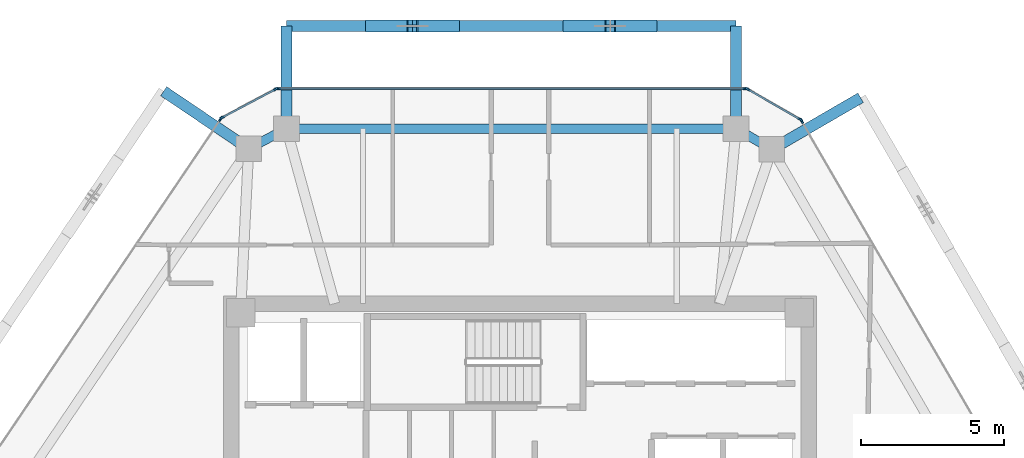
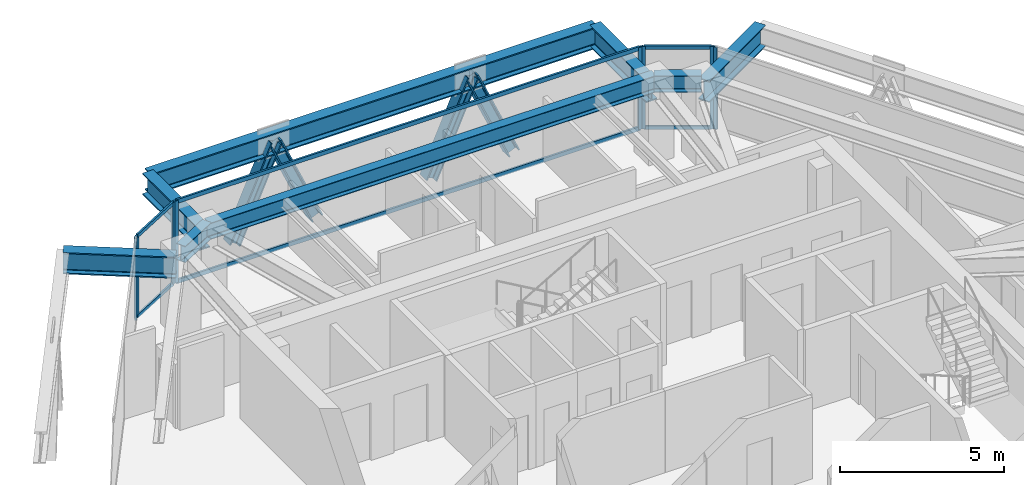
# One storey, part 6 of 13: 18 members, 8 beams, 5 elements without a shape of their own.
"""IFC4 building model written with IfcOpenShell, lengths in metres."""

from ifc_helpers import new_model, si_unit, direction, frame, origin, origin_2d, place, context, subcontext, project, spatial, rectangle, i_section, extrude, source, transform, mapped, material, layer, layer_set, material_profile, profile_set, type_object, type_shapes, element, aggregate, save


model = new_model("IFC4")

# Units and contexts
model_context = context("Model", 3, precision=1e-05, world=origin(), true_north=direction((0.0, 1.0)))
body_context = subcontext(model_context, "Body", "Model", "MODEL_VIEW")
ifc_project = project(units=[si_unit("LENGTHUNIT", "METRE"), si_unit("AREAUNIT", "SQUARE_METRE"), si_unit("VOLUMEUNIT", "CUBIC_METRE"), si_unit("PLANEANGLEUNIT", "RADIAN"), si_unit("MASSUNIT", "GRAM", prefix="KILO")], contexts=[model_context])

# Site, building, storey
site_placement = place(None, origin())
site = spatial("IfcSite", under=ifc_project, at=site_placement, CompositionType="ELEMENT")
building_placement = place(site_placement, origin())
building = spatial("IfcBuilding", under=site, at=building_placement, Name="Durnholm Broadcast Tower", CompositionType="ELEMENT")
storey_placement = place(building_placement, frame((0.0, 0.0, 234.800048828125)))
storey = spatial("IfcBuildingStorey", under=building, at=storey_placement, Name="L65", CompositionType="ELEMENT", Elevation=234.800048828125)

# Beams
ifc_material_1 = material(Name="Steel ASTM A992 Grade 50", Category="steel")
ifc_material_profile_1 = material_profile(ifc_material_1, i_section(OverallWidth=0.385009765625, OverallDepth=0.802978515625, WebThickness=0.023681640625, FlangeThickness=0.0419921875, FilletRadius=0.032958984375, at=origin_2d()), Name="W30X261")
ifc_profile_set_1 = profile_set([ifc_material_profile_1], Name="Steel ASTM A992 Grade 50")
beam_type_1 = type_object("IfcBeamType", Name="BM-EXO-TIE", PredefinedType="USERDEFINED", material=ifc_profile_set_1)
shared_shape_1 = source(origin(), body_context, "Body", "SweptSolid", [
    extrude(i_section(OverallWidth=0.385009765625, OverallDepth=0.802978515625, WebThickness=0.023681640625, FlangeThickness=0.0419921875, FilletRadius=0.032958984375, at=origin_2d()), origin(), (0.0, 0.0, 1.0), 3.4560546875),
])
for number, where, z_axis, x_axis, name in (
    (1, (7.57958984375, 14.406005859375, 2.30859375), (0.0, 1.0, 0.0), (-1.0, 0.0, 0.0), "L65 exoskeleton stand-off tie bracket F4.1"),
    (2, (-8.187744140625, 14.406005859375, 2.30859375), (0.0, 1.0, 0.0), (-1.0, 0.0, 0.0), "L65 exoskeleton stand-off tie bracket F4.2"),
):
    element("IfcBeam", number, at=place(storey_placement, frame(where, z_axis=z_axis, x_axis=x_axis)), inside=storey, type_object=beam_type_1, Name=name, ObjectType="GIRDER", PredefinedType="USERDEFINED", context=body_context, shape_type="MappedRepresentation", body=[
        mapped(shared_shape_1, transform((0.0, 0.0, 0.0), x_axis=(1.0, 0.0, 0.0), y_axis=(0.0, 1.0, 0.0), z_axis=(0.0, 0.0, 1.0), scale=1.0)),
    ])
shared_shape_2 = source(origin(), body_context, "Body", "SweptSolid", [
    extrude(i_section(OverallWidth=0.385009765625, OverallDepth=0.802978515625, WebThickness=0.023681640625, FlangeThickness=0.0419921875, FilletRadius=0.032958984375, at=origin_2d()), origin(), (0.0, 0.0, 1.0), 3.455810546875),
])
for number, where, z_axis, x_axis, name in (
    (3, (8.9619140625, 13.610107421875, 2.30859375), (0.864906682814, 0.501932694715, 0.0), (-0.501932694715, 0.864906682814, 0.0), "L65 exoskeleton stand-off tie bracket F3.2"),
    (4, (-9.63427734375, 13.637939453125, 2.30859375), (-0.828446342252, 0.560068440469, 0.0), (-0.560068440469, -0.828446342252, 0.0), "L65 exoskeleton stand-off tie bracket F5.1"),
):
    element("IfcBeam", number, at=place(storey_placement, frame(where, z_axis=z_axis, x_axis=x_axis)), inside=storey, type_object=beam_type_1, Name=name, ObjectType="GIRDER", PredefinedType="USERDEFINED", context=body_context, shape_type="MappedRepresentation", body=[
        mapped(shared_shape_2, transform((0.0, 0.0, 0.0), x_axis=(1.0, 0.0, 0.0), y_axis=(0.0, 1.0, 0.0), z_axis=(0.0, 0.0, 1.0), scale=1.0)),
    ])
ifc_material_profile_2 = material_profile(ifc_material_1, i_section(OverallWidth=0.3251953125, OverallDepth=0.6162109375, WebThickness=0.013916015625, FlangeThickness=0.021484375, FilletRadius=0.02783203125, at=origin_2d()), Name="W24X117")
ifc_profile_set_2 = profile_set([ifc_material_profile_2], Name="Steel ASTM A992 Grade 50")
beam_type_2 = type_object("IfcBeamType", Name="STL-SP-W24X117", PredefinedType="SPANDREL", material=ifc_profile_set_2)
shared_shape_3 = source(origin(), body_context, "Body", "SweptSolid", [
    extrude(i_section(OverallWidth=0.3251953125, OverallDepth=0.6162109375, WebThickness=0.013916015625, FlangeThickness=0.021484375, FilletRadius=0.02783203125, at=origin_2d()), origin(), (0.0, 0.0, 1.0), 1.502685546875),
])
beam_1_placement = place(storey_placement, frame((-9.514892578125, 13.557373046875, 2.73681640625), z_axis=(0.883241909673, 0.468917614296, 0.0), x_axis=(-0.468917614296, 0.883241909673, 0.0)))
element("IfcBeam", 5, at=beam_1_placement, inside=storey, type_object=beam_type_2, Name="L65 perimeter spandrel girder 04", PredefinedType="SPANDREL", context=body_context, shape_type="MappedRepresentation", body=[
    mapped(shared_shape_3, transform((0.0, 0.0, 0.0), x_axis=(1.0, 0.0, 0.0), y_axis=(0.0, 1.0, 0.0), z_axis=(0.0, 0.0, 1.0), scale=1.0)),
])
shared_shape_4 = source(origin(), body_context, "Body", "SweptSolid", [
    extrude(i_section(OverallWidth=0.3251953125, OverallDepth=0.6162109375, WebThickness=0.013916015625, FlangeThickness=0.021484375, FilletRadius=0.02783203125, at=origin_2d()), origin(), (0.0, 0.0, 1.0), 15.767333984375),
])
beam_2_placement = place(storey_placement, frame((-8.187744140625, 14.261962890625, 2.73681640625), z_axis=(1.0, 0.0, 0.0), x_axis=(0.0, 1.0, 0.0)))
element("IfcBeam", 6, at=beam_2_placement, inside=storey, type_object=beam_type_2, Name="L65 perimeter spandrel girder 05", PredefinedType="SPANDREL", context=body_context, shape_type="MappedRepresentation", body=[
    mapped(shared_shape_4, transform((0.0, 0.0, 0.0), x_axis=(1.0, 0.0, 0.0), y_axis=(0.0, 1.0, 0.0), z_axis=(0.0, 0.0, 1.0), scale=1.0)),
])
shared_shape_5 = source(origin(), body_context, "Body", "SweptSolid", [
    extrude(i_section(OverallWidth=0.3251953125, OverallDepth=0.6162109375, WebThickness=0.013916015625, FlangeThickness=0.021484375, FilletRadius=0.02783203125, at=origin_2d()), origin(), (0.0, 0.0, 1.0), 1.451416015625),
])
type_shapes(beam_type_2, [shared_shape_3, shared_shape_4, shared_shape_5])
beam_3_placement = place(storey_placement, frame((7.57958984375, 14.261962890625, 2.73681640625), z_axis=(0.866571760088, -0.499052486836, 0.0), x_axis=(0.499052486836, 0.866571760088, 0.0)))
element("IfcBeam", 7, at=beam_3_placement, inside=storey, type_object=beam_type_2, Name="L65 perimeter spandrel girder 06", PredefinedType="SPANDREL", context=body_context, shape_type="MappedRepresentation", body=[
    mapped(shared_shape_5, transform((0.0, 0.0, 0.0), x_axis=(1.0, 0.0, 0.0), y_axis=(0.0, 1.0, 0.0), z_axis=(0.0, 0.0, 1.0), scale=1.0)),
])
shared_shape_6 = source(origin(), body_context, "Body", "SweptSolid", [
    extrude(i_section(OverallWidth=0.385009765625, OverallDepth=0.802978515625, WebThickness=0.023681640625, FlangeThickness=0.0419921875, FilletRadius=0.032958984375, at=origin_2d()), origin(), (0.0, 0.0, 1.0), 15.767333984375),
])
type_shapes(beam_type_1, [shared_shape_1, shared_shape_2, shared_shape_6])
beam_4_placement = place(storey_placement, frame((7.57958984375, 17.862060546875, 2.30859375), z_axis=(-1.0, 0.0, 0.0), x_axis=(0.0, -1.0, 0.0)))
element("IfcBeam", 8, at=beam_4_placement, inside=storey, type_object=beam_type_1, Name="L65 exoskeleton collector spandrel F4", PredefinedType="SPANDREL", context=body_context, shape_type="MappedRepresentation", body=[
    mapped(shared_shape_6, transform((0.0, 0.0, 0.0), x_axis=(1.0, 0.0, 0.0), y_axis=(0.0, 1.0, 0.0), z_axis=(0.0, 0.0, 1.0), scale=1.0)),
])

# Members
ifc_material_2 = material(Name="Steel ASTM A913 Grade 65", Category="steel")
ifc_material_profile_3 = material_profile(ifc_material_2, i_section(OverallWidth=0.40625, OverallDepth=0.416015625, WebThickness=0.02978515625, FlangeThickness=0.048095703125, FilletRadius=0.030517578125, at=origin_2d()), Name="W14X257")
ifc_profile_set_3 = profile_set([ifc_material_profile_3], Name="Steel ASTM A913 Grade 65")
member_type_1 = type_object("IfcMemberType", Name="STL-DG-W14X257", PredefinedType="BRACE", material=ifc_profile_set_3)
shared_shape_7 = source(origin(), body_context, "Body", "SweptSolid", [
    extrude(i_section(OverallWidth=0.40625, OverallDepth=0.416015625, WebThickness=0.02978515625, FlangeThickness=0.048095703125, FilletRadius=0.030517578125, at=origin_2d()), origin(), (0.0, 0.0, 1.0), 3.60791015625),
])
for number, where, z_axis, x_axis, name in (
    (9, (4.623046875, 17.862060546875, -0.991455078125), (-0.404184914295, 0.0, 0.914677295584), (0.0, -1.0, 0.0), "L65 stand-off diagrid brace F4.D1.1"),
    (10, (1.70654296875, 17.862060546875, -0.991455078125), (0.404184914295, 0.0, 0.914677295584), (0.0, 1.0, 0.0), "L65 stand-off diagrid brace F4.D1.2"),
    (11, (-5.23095703125, 17.862060546875, -0.991455078125), (0.404184914295, 0.0, 0.914677295584), (0.0, 1.0, 0.0), "L65 stand-off diagrid brace F4.D2.2"),
):
    element("IfcMember", number, at=place(storey_placement, frame(where, z_axis=z_axis, x_axis=x_axis)), inside=storey, type_object=member_type_1, Name=name, PredefinedType="BRACE", context=body_context, shape_type="MappedRepresentation", body=[
        mapped(shared_shape_7, transform((0.0, 0.0, 0.0), x_axis=(1.0, 0.0, 0.0), y_axis=(0.0, 1.0, 0.0), z_axis=(0.0, 0.0, 1.0), scale=1.0)),
    ])
shared_shape_8 = source(origin(), body_context, "Body", "SweptSolid", [
    extrude(i_section(OverallWidth=0.40625, OverallDepth=0.416015625, WebThickness=0.02978515625, FlangeThickness=0.048095703125, FilletRadius=0.030517578125, at=origin_2d()), origin(), (0.0, 0.0, 1.0), 3.607666015625),
])
type_shapes(member_type_1, [shared_shape_7, shared_shape_8])
member_1_placement = place(storey_placement, frame((-2.314697265625, 17.862060546875, -0.991455078125), z_axis=(-0.404128298032, 0.0, 0.914702311536), x_axis=(0.0, -1.0, 0.0)))
element("IfcMember", 12, at=member_1_placement, inside=storey, type_object=member_type_1, Name="L65 stand-off diagrid brace F4.D2.1", PredefinedType="BRACE", context=body_context, shape_type="MappedRepresentation", body=[
    mapped(shared_shape_8, transform((0.0, 0.0, 0.0), x_axis=(1.0, 0.0, 0.0), y_axis=(0.0, 1.0, 0.0), z_axis=(0.0, 0.0, 1.0), scale=1.0)),
])

# Curtain wall, members
ifc_material_3 = material(Name="Aluminium and Solar Control IGU", Category="aluminium")
ifc_layer_1 = layer(ifc_material_3, 0.1650390625)
ifc_layer_set_1 = layer_set([ifc_layer_1], Name="Aluminium and Solar Control IGU")
curtain_wall_type_1 = type_object("IfcCurtainWallType", Name="CW-SYS-5", PredefinedType="NOTDEFINED", material=ifc_layer_set_1)
curtain_wall_1_placement = place(storey_placement, origin())
curtain_wall_1 = element("IfcCurtainWall", 13, at=curtain_wall_1_placement, inside=storey, type_object=curtain_wall_type_1, Name="L65 curtain wall CW-CORNER CW-L65-CRN-03", PredefinedType="NOTDEFINED")
ifc_material_4 = material(Name="Aluminium 6063-T6", Category="aluminium")
ifc_material_profile_4 = material_profile(ifc_material_4, rectangle(XDim=0.06494140625, YDim=0.1298828125, at=origin_2d()), Name="CWT65X130")
ifc_profile_set_4 = profile_set([ifc_material_profile_4], Name="Aluminium 6063-T6")
member_type_2 = type_object("IfcMemberType", Name="CW-SYS-5-TRN", PredefinedType="USERDEFINED", material=ifc_profile_set_4)
shared_shape_9 = source(origin(), body_context, "Body", "SweptSolid", [
    extrude(rectangle(XDim=0.06494140625, YDim=0.1298828125, at=origin_2d()), origin(), (0.0, 0.0, 1.0), 2.070068359375),
])
type_shapes(member_type_2, [shared_shape_9])
member_2_placement = place(storey_placement, frame((-10.421875, 14.66064453125, 0.032470703125), z_axis=(0.883164581026, 0.469063239682, 0.0), x_axis=(-0.469063239682, 0.883164581026, 0.0)))
member_2 = element("IfcMember", 14, at=member_2_placement, type_object=member_type_2, Name="CW-CORNER transom 1.1", ObjectType="TRANSOM", PredefinedType="USERDEFINED", context=body_context, shape_type="MappedRepresentation", body=[
    mapped(shared_shape_9, transform((0.0, 0.0, 0.0), x_axis=(1.0, 0.0, 0.0), y_axis=(0.0, 1.0, 0.0), z_axis=(0.0, 0.0, 1.0), scale=1.0)),
])
member_3_placement = place(storey_placement, frame((-10.421875, 14.66064453125, 3.02734375), z_axis=(0.883164581026, 0.469063239682, 0.0), x_axis=(-0.469063239682, 0.883164581026, 0.0)))
member_3 = element("IfcMember", 15, at=member_3_placement, type_object=member_type_2, Name="CW-CORNER transom 1.2", ObjectType="TRANSOM", PredefinedType="USERDEFINED", context=body_context, shape_type="MappedRepresentation", body=[
    mapped(shared_shape_9, transform((0.0, 0.0, 0.0), x_axis=(1.0, 0.0, 0.0), y_axis=(0.0, 1.0, 0.0), z_axis=(0.0, 0.0, 1.0), scale=1.0)),
])

curtain_wall_2_placement = place(storey_placement, origin())
curtain_wall_2 = element("IfcCurtainWall", 16, at=curtain_wall_2_placement, inside=storey, type_object=curtain_wall_type_1, Name="L65 curtain wall CW-CORNER CW-L65-CRN-05", PredefinedType="NOTDEFINED")
member_4_placement = place(storey_placement, frame((8.01025390625, 15.629638671875, 0.032470703125), z_axis=(0.866525076636, -0.499133540809, 0.0), x_axis=(0.499133540809, 0.866525076636, 0.0)))
member_4 = element("IfcMember", 17, at=member_4_placement, type_object=member_type_2, Name="CW-CORNER transom 1.1", ObjectType="TRANSOM", PredefinedType="USERDEFINED", context=body_context, shape_type="MappedRepresentation", body=[
    mapped(shared_shape_9, transform((0.0, 0.0, 0.0), x_axis=(1.0, 0.0, 0.0), y_axis=(0.0, 1.0, 0.0), z_axis=(0.0, 0.0, 1.0), scale=1.0)),
])
member_5_placement = place(storey_placement, frame((8.01025390625, 15.629638671875, 3.02734375), z_axis=(0.866525076636, -0.499133540809, 0.0), x_axis=(0.499133540809, 0.866525076636, 0.0)))
member_5 = element("IfcMember", 18, at=member_5_placement, type_object=member_type_2, Name="CW-CORNER transom 1.2", ObjectType="TRANSOM", PredefinedType="USERDEFINED", context=body_context, shape_type="MappedRepresentation", body=[
    mapped(shared_shape_9, transform((0.0, 0.0, 0.0), x_axis=(1.0, 0.0, 0.0), y_axis=(0.0, 1.0, 0.0), z_axis=(0.0, 0.0, 1.0), scale=1.0)),
])

# Member
ifc_material_profile_5 = material_profile(ifc_material_4, rectangle(XDim=0.06494140625, YDim=0.1650390625, at=origin_2d()), Name="CWM65X165")
ifc_profile_set_5 = profile_set([ifc_material_profile_5], Name="Aluminium 6063-T6")
member_type_3 = type_object("IfcMemberType", Name="CW-SYS-5-MUL", PredefinedType="MULLION", material=ifc_profile_set_5)
shared_shape_10 = source(origin(), body_context, "Body", "SweptSolid", [
    extrude(rectangle(XDim=0.06494140625, YDim=0.1650390625, at=origin_2d()), origin(), (0.0, 0.0, 1.0), 3.06005859375),
])
type_shapes(member_type_3, [shared_shape_10])
member_6_placement = place(storey_placement, frame((-10.45068359375, 14.6455078125, 0.0), z_axis=(0.0, 0.0, 1.0), x_axis=(-0.469006771575, 0.883194569853, 0.0)))
member_6 = element("IfcMember", 19, at=member_6_placement, type_object=member_type_3, Name="CW-CORNER mullion 1", PredefinedType="MULLION", context=body_context, shape_type="MappedRepresentation", body=[
    mapped(shared_shape_10, transform((0.0, 0.0, 0.0), x_axis=(1.0, 0.0, 0.0), y_axis=(0.0, 1.0, 0.0), z_axis=(0.0, 0.0, 1.0), scale=1.0)),
])

member_7_placement = place(storey_placement, frame((-8.565185546875, 15.646728515625, 0.0), z_axis=(0.0, 0.0, 1.0), x_axis=(-0.469006771575, 0.883194569853, 0.0)))
member_7 = element("IfcMember", 20, at=member_7_placement, type_object=member_type_3, Name="CW-CORNER mullion 2", PredefinedType="MULLION", context=body_context, shape_type="MappedRepresentation", body=[
    mapped(shared_shape_10, transform((0.0, 0.0, 0.0), x_axis=(1.0, 0.0, 0.0), y_axis=(0.0, 1.0, 0.0), z_axis=(0.0, 0.0, 1.0), scale=1.0)),
])

aggregate(curtain_wall_1, [member_6, member_7, member_2, member_3])

member_8_placement = place(storey_placement, frame((7.982177734375, 15.645751953125, 0.0), z_axis=(0.0, 0.0, 1.0), x_axis=(0.499058582333, 0.866568249707, 0.0)))
member_8 = element("IfcMember", 21, at=member_8_placement, type_object=member_type_3, Name="CW-CORNER mullion 1", PredefinedType="MULLION", context=body_context, shape_type="MappedRepresentation", body=[
    mapped(shared_shape_10, transform((0.0, 0.0, 0.0), x_axis=(1.0, 0.0, 0.0), y_axis=(0.0, 1.0, 0.0), z_axis=(0.0, 0.0, 1.0), scale=1.0)),
])

member_9_placement = place(storey_placement, frame((9.832275390625, 14.580322265625, 0.0), z_axis=(0.0, 0.0, 1.0), x_axis=(0.499058582333, 0.866568249707, 0.0)))
member_9 = element("IfcMember", 22, at=member_9_placement, type_object=member_type_3, Name="CW-CORNER mullion 2", PredefinedType="MULLION", context=body_context, shape_type="MappedRepresentation", body=[
    mapped(shared_shape_10, transform((0.0, 0.0, 0.0), x_axis=(1.0, 0.0, 0.0), y_axis=(0.0, 1.0, 0.0), z_axis=(0.0, 0.0, 1.0), scale=1.0)),
])

aggregate(curtain_wall_2, [member_8, member_9, member_4, member_5])

# Curtain wall, member
ifc_layer_2 = layer(ifc_material_3, 0.18994140625)
ifc_layer_set_2 = layer_set([ifc_layer_2], Name="Aluminium and Solar Control IGU")
curtain_wall_type_2 = type_object("IfcCurtainWallType", Name="CW-SYS-4", PredefinedType="NOTDEFINED", material=ifc_layer_set_2)
curtain_wall_3_placement = place(storey_placement, origin())
curtain_wall_3 = element("IfcCurtainWall", 23, at=curtain_wall_3_placement, inside=storey, type_object=curtain_wall_type_2, Name="L65 curtain wall CW-Z34-VIS CW-L65-F02", PredefinedType="NOTDEFINED")
ifc_material_profile_6 = material_profile(ifc_material_4, rectangle(XDim=0.070068359375, YDim=0.18994140625, at=origin_2d()), Name="CWM70X190")
ifc_profile_set_6 = profile_set([ifc_material_profile_6], Name="Aluminium 6063-T6")
member_type_4 = type_object("IfcMemberType", Name="CW-SYS-4-MUL", PredefinedType="MULLION", material=ifc_profile_set_6)
shared_shape_11 = source(origin(), body_context, "Body", "SweptSolid", [
    extrude(rectangle(XDim=0.070068359375, YDim=0.18994140625, at=origin_2d()), origin(), (0.0, 0.0, 1.0), 3.06005859375),
])
type_shapes(member_type_4, [shared_shape_11])
member_10_placement = place(storey_placement, frame((-10.4990234375, 14.601318359375, 0.0), z_axis=(0.0, 0.0, 1.0), x_axis=(-0.828443431662, 0.560072745753, 0.0)))
member_10 = element("IfcMember", 24, at=member_10_placement, type_object=member_type_4, Name="CW-Z34-VIS mullion 2", PredefinedType="MULLION", context=body_context, shape_type="MappedRepresentation", body=[
    mapped(shared_shape_11, transform((0.0, 0.0, 0.0), x_axis=(1.0, 0.0, 0.0), y_axis=(0.0, 1.0, 0.0), z_axis=(0.0, 0.0, 1.0), scale=1.0)),
])
aggregate(curtain_wall_3, [member_10])

# Curtain wall, members
curtain_wall_4_placement = place(storey_placement, origin())
curtain_wall_4 = element("IfcCurtainWall", 25, at=curtain_wall_4_placement, inside=storey, type_object=curtain_wall_type_2, Name="L65 curtain wall CW-Z34-VIS CW-L65-F04", PredefinedType="NOTDEFINED")
member_11_placement = place(storey_placement, frame((-8.50146484375, 15.662109375, 0.0), z_axis=(0.0, 0.0, 1.0), x_axis=(0.0, 1.0, 0.0)))
member_11 = element("IfcMember", 26, at=member_11_placement, type_object=member_type_4, Name="CW-Z34-VIS mullion 1", PredefinedType="MULLION", context=body_context, shape_type="MappedRepresentation", body=[
    mapped(shared_shape_11, transform((0.0, 0.0, 0.0), x_axis=(1.0, 0.0, 0.0), y_axis=(0.0, 1.0, 0.0), z_axis=(0.0, 0.0, 1.0), scale=1.0)),
])
member_12_placement = place(storey_placement, frame((7.9189453125, 15.662109375, 0.0), z_axis=(0.0, 0.0, 1.0), x_axis=(0.0, 1.0, 0.0)))
member_12 = element("IfcMember", 27, at=member_12_placement, type_object=member_type_4, Name="CW-Z34-VIS mullion 2", PredefinedType="MULLION", context=body_context, shape_type="MappedRepresentation", body=[
    mapped(shared_shape_11, transform((0.0, 0.0, 0.0), x_axis=(1.0, 0.0, 0.0), y_axis=(0.0, 1.0, 0.0), z_axis=(0.0, 0.0, 1.0), scale=1.0)),
])

# Curtain wall, member
curtain_wall_5_placement = place(storey_placement, origin())
curtain_wall_5 = element("IfcCurtainWall", 28, at=curtain_wall_5_placement, inside=storey, type_object=curtain_wall_type_2, Name="L65 curtain wall CW-Z34-VIS CW-L65-F06", PredefinedType="NOTDEFINED")
member_13_placement = place(storey_placement, frame((9.8779296875, 14.533935546875, 0.0), z_axis=(0.0, 0.0, 1.0), x_axis=(0.864899883824, 0.50194441023, 0.0)))
member_13 = element("IfcMember", 29, at=member_13_placement, type_object=member_type_4, Name="CW-Z34-VIS mullion 1", PredefinedType="MULLION", context=body_context, shape_type="MappedRepresentation", body=[
    mapped(shared_shape_11, transform((0.0, 0.0, 0.0), x_axis=(1.0, 0.0, 0.0), y_axis=(0.0, 1.0, 0.0), z_axis=(0.0, 0.0, 1.0), scale=1.0)),
])
aggregate(curtain_wall_5, [member_13])

# Member
ifc_material_profile_7 = material_profile(ifc_material_4, rectangle(XDim=0.070068359375, YDim=0.14990234375, at=origin_2d()), Name="CWT70X150")
ifc_profile_set_7 = profile_set([ifc_material_profile_7], Name="Aluminium 6063-T6")
member_type_5 = type_object("IfcMemberType", Name="CW-SYS-4-TRN", PredefinedType="USERDEFINED", material=ifc_profile_set_7)
shared_shape_12 = source(origin(), body_context, "Body", "SweptSolid", [
    extrude(rectangle(XDim=0.070068359375, YDim=0.14990234375, at=origin_2d()), origin(), (0.0, 0.0, 1.0), 16.350341796875),
])
type_shapes(member_type_5, [shared_shape_12])
member_14_placement = place(storey_placement, frame((-8.46630859375, 15.662109375, 0.034912109375), z_axis=(1.0, 0.0, 0.0), x_axis=(0.0, 1.0, 0.0)))
member_14 = element("IfcMember", 30, at=member_14_placement, type_object=member_type_5, Name="CW-Z34-VIS transom 1.1", ObjectType="TRANSOM", PredefinedType="USERDEFINED", context=body_context, shape_type="MappedRepresentation", body=[
    mapped(shared_shape_12, transform((0.0, 0.0, 0.0), x_axis=(1.0, 0.0, 0.0), y_axis=(0.0, 1.0, 0.0), z_axis=(0.0, 0.0, 1.0), scale=1.0)),
])

member_15_placement = place(storey_placement, frame((-8.46630859375, 15.662109375, 3.02490234375), z_axis=(1.0, 0.0, 0.0), x_axis=(0.0, 1.0, 0.0)))
member_15 = element("IfcMember", 31, at=member_15_placement, type_object=member_type_5, Name="CW-Z34-VIS transom 1.2", ObjectType="TRANSOM", PredefinedType="USERDEFINED", context=body_context, shape_type="MappedRepresentation", body=[
    mapped(shared_shape_12, transform((0.0, 0.0, 0.0), x_axis=(1.0, 0.0, 0.0), y_axis=(0.0, 1.0, 0.0), z_axis=(0.0, 0.0, 1.0), scale=1.0)),
])

aggregate(curtain_wall_4, [member_11, member_12, member_14, member_15])

save(model, "model.ifc")
